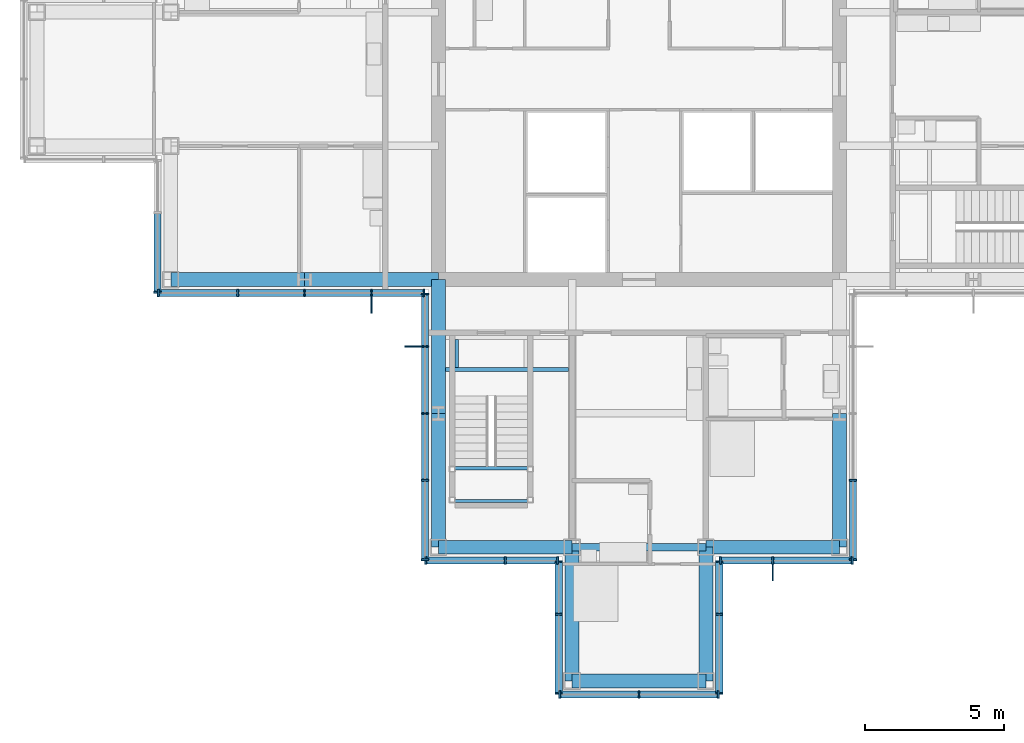
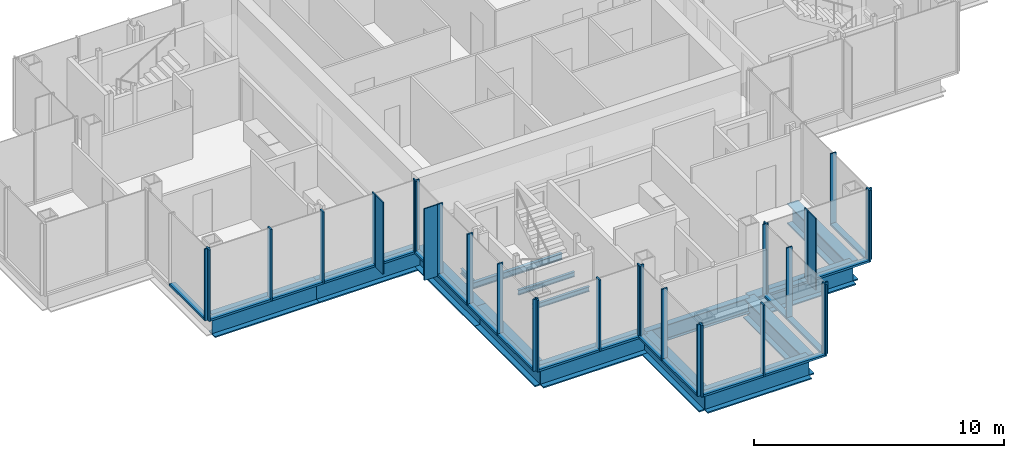
# One storey, part 5 of 15: 51 members, 15 beams, 9 elements without a shape of their own.
"""IFC4 building model written with IfcOpenShell, lengths in metres."""

from ifc_helpers import new_model, si_unit, direction, frame, origin, origin_2d, place, context, subcontext, project, spatial, rectangle, i_section, extrude, material, material_profile, profile_set, type_object, element, aggregate, save


model = new_model("IFC4")

# Units and contexts
model_context = context("Model", 3, precision=1e-05, world=origin(), true_north=direction((0.0, 1.0)))
body_context = subcontext(model_context, "Body", "Model", "MODEL_VIEW")
ifc_project = project(units=[si_unit("LENGTHUNIT", "METRE"), si_unit("AREAUNIT", "SQUARE_METRE"), si_unit("VOLUMEUNIT", "CUBIC_METRE"), si_unit("PLANEANGLEUNIT", "RADIAN"), si_unit("MASSUNIT", "GRAM", prefix="KILO")], contexts=[model_context])

# Site, building, storey
site_placement = place(None, origin())
site = spatial("IfcSite", under=ifc_project, at=site_placement, CompositionType="ELEMENT")
building_placement = place(site_placement, origin())
building = spatial("IfcBuilding", under=site, at=building_placement, Name="Kvirike Care Tower", CompositionType="ELEMENT")
storey_placement = place(building_placement, frame((0.0, 0.0, 222.5)))
storey = spatial("IfcBuildingStorey", under=building, at=storey_placement, Name="L61", CompositionType="ELEMENT", Elevation=222.5)

# Curtain wall, member
ifc_material_1 = material(Name="Anodised aluminium stick system", Category="aluminium")
curtain_wall_type = type_object("IfcCurtainWallType", Name="CW-D STICK CURTAIN WALL", PredefinedType="NOTDEFINED", material=ifc_material_1)
curtain_wall_1_placement = place(storey_placement, origin())
curtain_wall_1 = element("IfcCurtainWall", 1, at=curtain_wall_1_placement, inside=storey, type_object=curtain_wall_type, Name="Curtain wall L61 face 13", PredefinedType="NOTDEFINED")
ifc_material_2 = material(Name="Bronze anodised aluminium fin", Category="aluminium")
ifc_material_profile_1 = material_profile(ifc_material_2, rectangle(XDim=0.050048828125, YDim=0.60009765625, at=origin_2d()), Name="BRONZE FIN 600")
ifc_profile_set_1 = profile_set([ifc_material_profile_1], Name="Bronze anodised aluminium fin")
member_type_1 = type_object("IfcMemberType", Name="BRONZE FIN 600", PredefinedType="USERDEFINED", material=ifc_profile_set_1)
member_1_placement = place(storey_placement, frame((12.0, 27.889892578125, 0.0), z_axis=(0.0, 0.0, 1.0), x_axis=(1.0, 0.0, 0.0)))
member_1 = element("IfcMember", 2, at=member_1_placement, type_object=member_type_1, Name="Bronze fin L61 face 13.4", ObjectType="FIN", PredefinedType="USERDEFINED", context=body_context, shape_type="SweptSolid", body=[
    extrude(rectangle(XDim=0.050048828125, YDim=0.60009765625, at=origin_2d()), origin(), (0.0, 0.0, 1.0), 3.5),
])

curtain_wall_2_placement = place(storey_placement, origin())
curtain_wall_2 = element("IfcCurtainWall", 3, at=curtain_wall_2_placement, inside=storey, type_object=curtain_wall_type, Name="Curtain wall L61 face 14", PredefinedType="NOTDEFINED")
member_2_placement = place(storey_placement, frame((13.489990234375, 26.39990234375, 0.0), z_axis=(0.0, 0.0, 1.0), x_axis=(0.0, -1.0, 0.0)))
member_2 = element("IfcMember", 4, at=member_2_placement, type_object=member_type_1, Name="Bronze fin L61 face 14.2", ObjectType="FIN", PredefinedType="USERDEFINED", context=body_context, shape_type="SweptSolid", body=[
    extrude(rectangle(XDim=0.050048828125, YDim=0.60009765625, at=origin_2d()), origin(), (0.0, 0.0, 1.0), 3.5),
])

curtain_wall_3_placement = place(storey_placement, origin())
curtain_wall_3 = element("IfcCurtainWall", 5, at=curtain_wall_3_placement, inside=storey, type_object=curtain_wall_type, Name="Curtain wall L61 face 19", PredefinedType="NOTDEFINED")
member_3_placement = place(storey_placement, frame((26.39990234375, 18.2900390625, 0.0), z_axis=(0.0, 0.0, 1.0), x_axis=(1.0, 0.0, 0.0)))
member_3 = element("IfcMember", 6, at=member_3_placement, type_object=member_type_1, Name="Bronze fin L61 face 19.2", ObjectType="FIN", PredefinedType="USERDEFINED", context=body_context, shape_type="SweptSolid", body=[
    extrude(rectangle(XDim=0.050048828125, YDim=0.60009765625, at=origin_2d()), origin(), (0.0, 0.0, 1.0), 3.5),
])

curtain_wall_4_placement = place(storey_placement, origin())
curtain_wall_4 = element("IfcCurtainWall", 7, at=curtain_wall_4_placement, inside=storey, type_object=curtain_wall_type, Name="Curtain wall L61 face 12", PredefinedType="NOTDEFINED")
ifc_material_3 = material(Name="Bronze anodised aluminium mullion", Category="aluminium")
ifc_material_profile_2 = material_profile(ifc_material_3, rectangle(XDim=0.06494140625, YDim=0.260009765625, at=origin_2d()), Name="CW-D MULLION 65x260")
ifc_profile_set_2 = profile_set([ifc_material_profile_2], Name="Bronze anodised aluminium mullion")
member_type_2 = type_object("IfcMemberType", Name="CW-D MULLION 65x260", PredefinedType="MULLION", material=ifc_profile_set_2)
member_4_placement = place(storey_placement, frame((4.320068359375, 28.3525390625, 0.0), z_axis=(0.0, 0.0, 1.0), x_axis=(0.0, -1.0, 0.0)))
member_4 = element("IfcMember", 8, at=member_4_placement, type_object=member_type_2, Name="CW-D mullion L61 face 12.3", PredefinedType="MULLION", context=body_context, shape_type="SweptSolid", body=[
    extrude(rectangle(XDim=0.06494140625, YDim=0.260009765625, at=origin_2d()), origin(), (0.0, 0.0, 1.0), 3.5),
])

# Member
member_5_placement = place(storey_placement, frame((4.3525390625, 28.320068359375, 0.0), z_axis=(0.0, 0.0, 1.0), x_axis=(1.0, 0.0, 0.0)))
member_5 = element("IfcMember", 9, at=member_5_placement, type_object=member_type_2, Name="CW-D mullion L61 face 13.1", PredefinedType="MULLION", context=body_context, shape_type="SweptSolid", body=[
    extrude(rectangle(XDim=0.06494140625, YDim=0.260009765625, at=origin_2d()), origin(), (0.0, 0.0, 1.0), 3.5),
])

member_6_placement = place(storey_placement, frame((7.199951171875, 28.320068359375, 0.0), z_axis=(0.0, 0.0, 1.0), x_axis=(1.0, 0.0, 0.0)))
member_6 = element("IfcMember", 10, at=member_6_placement, type_object=member_type_2, Name="CW-D mullion L61 face 13.2", PredefinedType="MULLION", context=body_context, shape_type="SweptSolid", body=[
    extrude(rectangle(XDim=0.06494140625, YDim=0.260009765625, at=origin_2d()), origin(), (0.0, 0.0, 1.0), 3.5),
])

member_7_placement = place(storey_placement, frame((9.60009765625, 28.320068359375, 0.0), z_axis=(0.0, 0.0, 1.0), x_axis=(1.0, 0.0, 0.0)))
member_7 = element("IfcMember", 11, at=member_7_placement, type_object=member_type_2, Name="CW-D mullion L61 face 13.3", PredefinedType="MULLION", context=body_context, shape_type="SweptSolid", body=[
    extrude(rectangle(XDim=0.06494140625, YDim=0.260009765625, at=origin_2d()), origin(), (0.0, 0.0, 1.0), 3.5),
])

member_8_placement = place(storey_placement, frame((12.0, 28.320068359375, 0.0), z_axis=(0.0, 0.0, 1.0), x_axis=(1.0, 0.0, 0.0)))
member_8 = element("IfcMember", 12, at=member_8_placement, type_object=member_type_2, Name="CW-D mullion L61 face 13.4", PredefinedType="MULLION", context=body_context, shape_type="SweptSolid", body=[
    extrude(rectangle(XDim=0.06494140625, YDim=0.260009765625, at=origin_2d()), origin(), (0.0, 0.0, 1.0), 3.5),
])

member_9_placement = place(storey_placement, frame((13.887451171875, 28.320068359375, 0.0), z_axis=(0.0, 0.0, 1.0), x_axis=(1.0, 0.0, 0.0)))
member_9 = element("IfcMember", 13, at=member_9_placement, type_object=member_type_2, Name="CW-D mullion L61 face 13.5", PredefinedType="MULLION", context=body_context, shape_type="SweptSolid", body=[
    extrude(rectangle(XDim=0.06494140625, YDim=0.260009765625, at=origin_2d()), origin(), (0.0, 0.0, 1.0), 3.5),
])

member_10_placement = place(storey_placement, frame((13.919921875, 28.28759765625, 0.0), z_axis=(0.0, 0.0, 1.0), x_axis=(0.0, -1.0, 0.0)))
member_10 = element("IfcMember", 14, at=member_10_placement, type_object=member_type_2, Name="CW-D mullion L61 face 14.1", PredefinedType="MULLION", context=body_context, shape_type="SweptSolid", body=[
    extrude(rectangle(XDim=0.06494140625, YDim=0.260009765625, at=origin_2d()), origin(), (0.0, 0.0, 1.0), 3.5),
])

member_11_placement = place(storey_placement, frame((13.919921875, 26.39990234375, 0.0), z_axis=(0.0, 0.0, 1.0), x_axis=(0.0, -1.0, 0.0)))
member_11 = element("IfcMember", 15, at=member_11_placement, type_object=member_type_2, Name="CW-D mullion L61 face 14.2", PredefinedType="MULLION", context=body_context, shape_type="SweptSolid", body=[
    extrude(rectangle(XDim=0.06494140625, YDim=0.260009765625, at=origin_2d()), origin(), (0.0, 0.0, 1.0), 3.5),
])

member_12_placement = place(storey_placement, frame((13.919921875, 24.0, 0.0), z_axis=(0.0, 0.0, 1.0), x_axis=(0.0, -1.0, 0.0)))
member_12 = element("IfcMember", 16, at=member_12_placement, type_object=member_type_2, Name="CW-D mullion L61 face 14.3", PredefinedType="MULLION", context=body_context, shape_type="SweptSolid", body=[
    extrude(rectangle(XDim=0.06494140625, YDim=0.260009765625, at=origin_2d()), origin(), (0.0, 0.0, 1.0), 3.5),
])

member_13_placement = place(storey_placement, frame((13.919921875, 21.60009765625, 0.0), z_axis=(0.0, 0.0, 1.0), x_axis=(0.0, -1.0, 0.0)))
member_13 = element("IfcMember", 17, at=member_13_placement, type_object=member_type_2, Name="CW-D mullion L61 face 14.4", PredefinedType="MULLION", context=body_context, shape_type="SweptSolid", body=[
    extrude(rectangle(XDim=0.06494140625, YDim=0.260009765625, at=origin_2d()), origin(), (0.0, 0.0, 1.0), 3.5),
])

member_14_placement = place(storey_placement, frame((13.919921875, 18.75244140625, 0.0), z_axis=(0.0, 0.0, 1.0), x_axis=(0.0, -1.0, 0.0)))
member_14 = element("IfcMember", 18, at=member_14_placement, type_object=member_type_2, Name="CW-D mullion L61 face 14.5", PredefinedType="MULLION", context=body_context, shape_type="SweptSolid", body=[
    extrude(rectangle(XDim=0.06494140625, YDim=0.260009765625, at=origin_2d()), origin(), (0.0, 0.0, 1.0), 3.5),
])

# Curtain wall, members
curtain_wall_5_placement = place(storey_placement, origin())
curtain_wall_5 = element("IfcCurtainWall", 19, at=curtain_wall_5_placement, inside=storey, type_object=curtain_wall_type, Name="Curtain wall L61 face 15", PredefinedType="NOTDEFINED")
member_15_placement = place(storey_placement, frame((13.952392578125, 18.719970703125, 0.0), z_axis=(0.0, 0.0, 1.0), x_axis=(1.0, 0.0, 0.0)))
member_15 = element("IfcMember", 20, at=member_15_placement, type_object=member_type_2, Name="CW-D mullion L61 face 15.1", PredefinedType="MULLION", context=body_context, shape_type="SweptSolid", body=[
    extrude(rectangle(XDim=0.06494140625, YDim=0.260009765625, at=origin_2d()), origin(), (0.0, 0.0, 1.0), 3.5),
])
member_16_placement = place(storey_placement, frame((16.800048828125, 18.719970703125, 0.0), z_axis=(0.0, 0.0, 1.0), x_axis=(1.0, 0.0, 0.0)))
member_16 = element("IfcMember", 21, at=member_16_placement, type_object=member_type_2, Name="CW-D mullion L61 face 15.2", PredefinedType="MULLION", context=body_context, shape_type="SweptSolid", body=[
    extrude(rectangle(XDim=0.06494140625, YDim=0.260009765625, at=origin_2d()), origin(), (0.0, 0.0, 1.0), 3.5),
])
member_17_placement = place(storey_placement, frame((18.6875, 18.719970703125, 0.0), z_axis=(0.0, 0.0, 1.0), x_axis=(1.0, 0.0, 0.0)))
member_17 = element("IfcMember", 22, at=member_17_placement, type_object=member_type_2, Name="CW-D mullion L61 face 15.3", PredefinedType="MULLION", context=body_context, shape_type="SweptSolid", body=[
    extrude(rectangle(XDim=0.06494140625, YDim=0.260009765625, at=origin_2d()), origin(), (0.0, 0.0, 1.0), 3.5),
])

curtain_wall_6_placement = place(storey_placement, origin())
curtain_wall_6 = element("IfcCurtainWall", 23, at=curtain_wall_6_placement, inside=storey, type_object=curtain_wall_type, Name="Curtain wall L61 face 16", PredefinedType="NOTDEFINED")
member_18_placement = place(storey_placement, frame((18.719970703125, 18.6875, 0.0), z_axis=(0.0, 0.0, 1.0), x_axis=(0.0, -1.0, 0.0)))
member_18 = element("IfcMember", 24, at=member_18_placement, type_object=member_type_2, Name="CW-D mullion L61 face 16.1", PredefinedType="MULLION", context=body_context, shape_type="SweptSolid", body=[
    extrude(rectangle(XDim=0.06494140625, YDim=0.260009765625, at=origin_2d()), origin(), (0.0, 0.0, 1.0), 3.5),
])
member_19_placement = place(storey_placement, frame((18.719970703125, 16.800048828125, 0.0), z_axis=(0.0, 0.0, 1.0), x_axis=(0.0, -1.0, 0.0)))
member_19 = element("IfcMember", 25, at=member_19_placement, type_object=member_type_2, Name="CW-D mullion L61 face 16.2", PredefinedType="MULLION", context=body_context, shape_type="SweptSolid", body=[
    extrude(rectangle(XDim=0.06494140625, YDim=0.260009765625, at=origin_2d()), origin(), (0.0, 0.0, 1.0), 3.5),
])
member_20_placement = place(storey_placement, frame((18.719970703125, 13.952392578125, 0.0), z_axis=(0.0, 0.0, 1.0), x_axis=(0.0, -1.0, 0.0)))
member_20 = element("IfcMember", 26, at=member_20_placement, type_object=member_type_2, Name="CW-D mullion L61 face 16.3", PredefinedType="MULLION", context=body_context, shape_type="SweptSolid", body=[
    extrude(rectangle(XDim=0.06494140625, YDim=0.260009765625, at=origin_2d()), origin(), (0.0, 0.0, 1.0), 3.5),
])

curtain_wall_7_placement = place(storey_placement, origin())
curtain_wall_7 = element("IfcCurtainWall", 27, at=curtain_wall_7_placement, inside=storey, type_object=curtain_wall_type, Name="Curtain wall L61 face 17", PredefinedType="NOTDEFINED")
member_21_placement = place(storey_placement, frame((18.75244140625, 13.919921875, 0.0), z_axis=(0.0, 0.0, 1.0), x_axis=(1.0, 0.0, 0.0)))
member_21 = element("IfcMember", 28, at=member_21_placement, type_object=member_type_2, Name="CW-D mullion L61 face 17.1", PredefinedType="MULLION", context=body_context, shape_type="SweptSolid", body=[
    extrude(rectangle(XDim=0.06494140625, YDim=0.260009765625, at=origin_2d()), origin(), (0.0, 0.0, 1.0), 3.5),
])
member_22_placement = place(storey_placement, frame((21.60009765625, 13.919921875, 0.0), z_axis=(0.0, 0.0, 1.0), x_axis=(1.0, 0.0, 0.0)))
member_22 = element("IfcMember", 29, at=member_22_placement, type_object=member_type_2, Name="CW-D mullion L61 face 17.2", PredefinedType="MULLION", context=body_context, shape_type="SweptSolid", body=[
    extrude(rectangle(XDim=0.06494140625, YDim=0.260009765625, at=origin_2d()), origin(), (0.0, 0.0, 1.0), 3.5),
])
member_23_placement = place(storey_placement, frame((24.447509765625, 13.919921875, 0.0), z_axis=(0.0, 0.0, 1.0), x_axis=(1.0, 0.0, 0.0)))
member_23 = element("IfcMember", 30, at=member_23_placement, type_object=member_type_2, Name="CW-D mullion L61 face 17.3", PredefinedType="MULLION", context=body_context, shape_type="SweptSolid", body=[
    extrude(rectangle(XDim=0.06494140625, YDim=0.260009765625, at=origin_2d()), origin(), (0.0, 0.0, 1.0), 3.5),
])

curtain_wall_8_placement = place(storey_placement, origin())
curtain_wall_8 = element("IfcCurtainWall", 31, at=curtain_wall_8_placement, inside=storey, type_object=curtain_wall_type, Name="Curtain wall L61 face 18", PredefinedType="NOTDEFINED")
member_24_placement = place(storey_placement, frame((24.47998046875, 13.952392578125, 0.0), z_axis=(0.0, 0.0, 1.0), x_axis=(0.0, 1.0, 0.0)))
member_24 = element("IfcMember", 32, at=member_24_placement, type_object=member_type_2, Name="CW-D mullion L61 face 18.1", PredefinedType="MULLION", context=body_context, shape_type="SweptSolid", body=[
    extrude(rectangle(XDim=0.06494140625, YDim=0.260009765625, at=origin_2d()), origin(), (0.0, 0.0, 1.0), 3.5),
])
member_25_placement = place(storey_placement, frame((24.47998046875, 16.800048828125, 0.0), z_axis=(0.0, 0.0, 1.0), x_axis=(0.0, 1.0, 0.0)))
member_25 = element("IfcMember", 33, at=member_25_placement, type_object=member_type_2, Name="CW-D mullion L61 face 18.2", PredefinedType="MULLION", context=body_context, shape_type="SweptSolid", body=[
    extrude(rectangle(XDim=0.06494140625, YDim=0.260009765625, at=origin_2d()), origin(), (0.0, 0.0, 1.0), 3.5),
])
member_26_placement = place(storey_placement, frame((24.47998046875, 18.6875, 0.0), z_axis=(0.0, 0.0, 1.0), x_axis=(0.0, 1.0, 0.0)))
member_26 = element("IfcMember", 34, at=member_26_placement, type_object=member_type_2, Name="CW-D mullion L61 face 18.3", PredefinedType="MULLION", context=body_context, shape_type="SweptSolid", body=[
    extrude(rectangle(XDim=0.06494140625, YDim=0.260009765625, at=origin_2d()), origin(), (0.0, 0.0, 1.0), 3.5),
])

# Member
member_27_placement = place(storey_placement, frame((24.512451171875, 18.719970703125, 0.0), z_axis=(0.0, 0.0, 1.0), x_axis=(1.0, 0.0, 0.0)))
member_27 = element("IfcMember", 35, at=member_27_placement, type_object=member_type_2, Name="CW-D mullion L61 face 19.1", PredefinedType="MULLION", context=body_context, shape_type="SweptSolid", body=[
    extrude(rectangle(XDim=0.06494140625, YDim=0.260009765625, at=origin_2d()), origin(), (0.0, 0.0, 1.0), 3.5),
])

member_28_placement = place(storey_placement, frame((26.39990234375, 18.719970703125, 0.0), z_axis=(0.0, 0.0, 1.0), x_axis=(1.0, 0.0, 0.0)))
member_28 = element("IfcMember", 36, at=member_28_placement, type_object=member_type_2, Name="CW-D mullion L61 face 19.2", PredefinedType="MULLION", context=body_context, shape_type="SweptSolid", body=[
    extrude(rectangle(XDim=0.06494140625, YDim=0.260009765625, at=origin_2d()), origin(), (0.0, 0.0, 1.0), 3.5),
])

member_29_placement = place(storey_placement, frame((29.24755859375, 18.719970703125, 0.0), z_axis=(0.0, 0.0, 1.0), x_axis=(1.0, 0.0, 0.0)))
member_29 = element("IfcMember", 37, at=member_29_placement, type_object=member_type_2, Name="CW-D mullion L61 face 19.3", PredefinedType="MULLION", context=body_context, shape_type="SweptSolid", body=[
    extrude(rectangle(XDim=0.06494140625, YDim=0.260009765625, at=origin_2d()), origin(), (0.0, 0.0, 1.0), 3.5),
])

# Curtain wall, members
curtain_wall_9_placement = place(storey_placement, origin())
curtain_wall_9 = element("IfcCurtainWall", 38, at=curtain_wall_9_placement, inside=storey, type_object=curtain_wall_type, Name="Curtain wall L61 face 20", PredefinedType="NOTDEFINED")
member_30_placement = place(storey_placement, frame((29.280029296875, 18.75244140625, 0.0), z_axis=(0.0, 0.0, 1.0), x_axis=(0.0, 1.0, 0.0)))
member_30 = element("IfcMember", 39, at=member_30_placement, type_object=member_type_2, Name="CW-D mullion L61 face 20.1", PredefinedType="MULLION", context=body_context, shape_type="SweptSolid", body=[
    extrude(rectangle(XDim=0.06494140625, YDim=0.260009765625, at=origin_2d()), origin(), (0.0, 0.0, 1.0), 3.5),
])
member_31_placement = place(storey_placement, frame((29.280029296875, 21.60009765625, 0.0), z_axis=(0.0, 0.0, 1.0), x_axis=(0.0, 1.0, 0.0)))
member_31 = element("IfcMember", 40, at=member_31_placement, type_object=member_type_2, Name="CW-D mullion L61 face 20.2", PredefinedType="MULLION", context=body_context, shape_type="SweptSolid", body=[
    extrude(rectangle(XDim=0.06494140625, YDim=0.260009765625, at=origin_2d()), origin(), (0.0, 0.0, 1.0), 3.5),
])

# Member
ifc_material_4 = material(Name="Bronze anodised aluminium transom", Category="aluminium")
ifc_material_profile_3 = material_profile(ifc_material_4, rectangle(XDim=0.260009765625, YDim=0.10009765625, at=origin_2d()), Name="CW-D TRANSOM 260x100")
ifc_profile_set_3 = profile_set([ifc_material_profile_3], Name="Bronze anodised aluminium transom")
member_type_3 = type_object("IfcMemberType", Name="CW-D TRANSOM 260x100", PredefinedType="USERDEFINED", material=ifc_profile_set_3)
member_32_placement = place(storey_placement, frame((4.320068359375, 31.16748046875, 0.050048828125), z_axis=(0.0, -1.0, 0.0), x_axis=(1.0, 0.0, 0.0)))
member_32 = element("IfcMember", 41, at=member_32_placement, type_object=member_type_3, Name="CW-D sill transom L61 face 12.2", ObjectType="TRANSOM", PredefinedType="USERDEFINED", context=body_context, shape_type="SweptSolid", body=[
    extrude(rectangle(XDim=0.260009765625, YDim=0.10009765625, at=origin_2d()), origin(), (0.0, 0.0, 1.0), 2.782470703125),
])

aggregate(curtain_wall_4, [member_4, member_32])

member_33_placement = place(storey_placement, frame((4.385009765625, 28.320068359375, 0.050048828125), z_axis=(1.0, 0.0, 0.0), x_axis=(0.0, 1.0, 0.0)))
member_33 = element("IfcMember", 42, at=member_33_placement, type_object=member_type_3, Name="CW-D sill transom L61 face 13.1", ObjectType="TRANSOM", PredefinedType="USERDEFINED", context=body_context, shape_type="SweptSolid", body=[
    extrude(rectangle(XDim=0.260009765625, YDim=0.10009765625, at=origin_2d()), origin(), (0.0, 0.0, 1.0), 2.782470703125),
])

member_34_placement = place(storey_placement, frame((7.232421875, 28.320068359375, 0.050048828125), z_axis=(1.0, 0.0, 0.0), x_axis=(0.0, 1.0, 0.0)))
member_34 = element("IfcMember", 43, at=member_34_placement, type_object=member_type_3, Name="CW-D sill transom L61 face 13.2", ObjectType="TRANSOM", PredefinedType="USERDEFINED", context=body_context, shape_type="SweptSolid", body=[
    extrude(rectangle(XDim=0.260009765625, YDim=0.10009765625, at=origin_2d()), origin(), (0.0, 0.0, 1.0), 2.3349609375),
])

member_35_placement = place(storey_placement, frame((9.632568359375, 28.320068359375, 0.050048828125), z_axis=(1.0, 0.0, 0.0), x_axis=(0.0, 1.0, 0.0)))
member_35 = element("IfcMember", 44, at=member_35_placement, type_object=member_type_3, Name="CW-D sill transom L61 face 13.3", ObjectType="TRANSOM", PredefinedType="USERDEFINED", context=body_context, shape_type="SweptSolid", body=[
    extrude(rectangle(XDim=0.260009765625, YDim=0.10009765625, at=origin_2d()), origin(), (0.0, 0.0, 1.0), 2.3349609375),
])

member_36_placement = place(storey_placement, frame((12.032470703125, 28.320068359375, 0.050048828125), z_axis=(1.0, 0.0, 0.0), x_axis=(0.0, 1.0, 0.0)))
member_36 = element("IfcMember", 45, at=member_36_placement, type_object=member_type_3, Name="CW-D sill transom L61 face 13.4", ObjectType="TRANSOM", PredefinedType="USERDEFINED", context=body_context, shape_type="SweptSolid", body=[
    extrude(rectangle(XDim=0.260009765625, YDim=0.10009765625, at=origin_2d()), origin(), (0.0, 0.0, 1.0), 1.822509765625),
])

aggregate(curtain_wall_1, [member_5, member_6, member_7, member_8, member_1, member_9, member_33, member_34, member_35, member_36])

member_37_placement = place(storey_placement, frame((13.919921875, 28.2548828125, 0.050048828125), z_axis=(0.0, -1.0, 0.0), x_axis=(1.0, 0.0, 0.0)))
member_37 = element("IfcMember", 46, at=member_37_placement, type_object=member_type_3, Name="CW-D sill transom L61 face 14.1", ObjectType="TRANSOM", PredefinedType="USERDEFINED", context=body_context, shape_type="SweptSolid", body=[
    extrude(rectangle(XDim=0.260009765625, YDim=0.10009765625, at=origin_2d()), origin(), (0.0, 0.0, 1.0), 1.822265625),
])

member_38_placement = place(storey_placement, frame((13.919921875, 26.367431640625, 0.050048828125), z_axis=(0.0, -1.0, 0.0), x_axis=(1.0, 0.0, 0.0)))
member_38 = element("IfcMember", 47, at=member_38_placement, type_object=member_type_3, Name="CW-D sill transom L61 face 14.2", ObjectType="TRANSOM", PredefinedType="USERDEFINED", context=body_context, shape_type="SweptSolid", body=[
    extrude(rectangle(XDim=0.260009765625, YDim=0.10009765625, at=origin_2d()), origin(), (0.0, 0.0, 1.0), 2.3349609375),
])

member_39_placement = place(storey_placement, frame((13.919921875, 23.967529296875, 0.050048828125), z_axis=(0.0, -1.0, 0.0), x_axis=(1.0, 0.0, 0.0)))
member_39 = element("IfcMember", 48, at=member_39_placement, type_object=member_type_3, Name="CW-D sill transom L61 face 14.3", ObjectType="TRANSOM", PredefinedType="USERDEFINED", context=body_context, shape_type="SweptSolid", body=[
    extrude(rectangle(XDim=0.260009765625, YDim=0.10009765625, at=origin_2d()), origin(), (0.0, 0.0, 1.0), 2.3349609375),
])

member_40_placement = place(storey_placement, frame((13.919921875, 21.5673828125, 0.050048828125), z_axis=(0.0, -1.0, 0.0), x_axis=(1.0, 0.0, 0.0)))
member_40 = element("IfcMember", 49, at=member_40_placement, type_object=member_type_3, Name="CW-D sill transom L61 face 14.4", ObjectType="TRANSOM", PredefinedType="USERDEFINED", context=body_context, shape_type="SweptSolid", body=[
    extrude(rectangle(XDim=0.260009765625, YDim=0.10009765625, at=origin_2d()), origin(), (0.0, 0.0, 1.0), 2.782470703125),
])

aggregate(curtain_wall_2, [member_10, member_11, member_2, member_12, member_13, member_14, member_37, member_38, member_39, member_40])

member_41_placement = place(storey_placement, frame((13.985107421875, 18.719970703125, 0.050048828125), z_axis=(1.0, 0.0, 0.0), x_axis=(0.0, 1.0, 0.0)))
member_41 = element("IfcMember", 50, at=member_41_placement, type_object=member_type_3, Name="CW-D sill transom L61 face 15.1", ObjectType="TRANSOM", PredefinedType="USERDEFINED", context=body_context, shape_type="SweptSolid", body=[
    extrude(rectangle(XDim=0.260009765625, YDim=0.10009765625, at=origin_2d()), origin(), (0.0, 0.0, 1.0), 2.782470703125),
])

member_42_placement = place(storey_placement, frame((16.83251953125, 18.719970703125, 0.050048828125), z_axis=(1.0, 0.0, 0.0), x_axis=(0.0, 1.0, 0.0)))
member_42 = element("IfcMember", 51, at=member_42_placement, type_object=member_type_3, Name="CW-D sill transom L61 face 15.2", ObjectType="TRANSOM", PredefinedType="USERDEFINED", context=body_context, shape_type="SweptSolid", body=[
    extrude(rectangle(XDim=0.260009765625, YDim=0.10009765625, at=origin_2d()), origin(), (0.0, 0.0, 1.0), 1.822509765625),
])

aggregate(curtain_wall_5, [member_15, member_16, member_17, member_41, member_42])

member_43_placement = place(storey_placement, frame((18.719970703125, 18.655029296875, 0.050048828125), z_axis=(0.0, -1.0, 0.0), x_axis=(1.0, 0.0, 0.0)))
member_43 = element("IfcMember", 52, at=member_43_placement, type_object=member_type_3, Name="CW-D sill transom L61 face 16.1", ObjectType="TRANSOM", PredefinedType="USERDEFINED", context=body_context, shape_type="SweptSolid", body=[
    extrude(rectangle(XDim=0.260009765625, YDim=0.10009765625, at=origin_2d()), origin(), (0.0, 0.0, 1.0), 1.822509765625),
])

member_44_placement = place(storey_placement, frame((18.719970703125, 16.767578125, 0.050048828125), z_axis=(0.0, -1.0, 0.0), x_axis=(1.0, 0.0, 0.0)))
member_44 = element("IfcMember", 53, at=member_44_placement, type_object=member_type_3, Name="CW-D sill transom L61 face 16.2", ObjectType="TRANSOM", PredefinedType="USERDEFINED", context=body_context, shape_type="SweptSolid", body=[
    extrude(rectangle(XDim=0.260009765625, YDim=0.10009765625, at=origin_2d()), origin(), (0.0, 0.0, 1.0), 2.782470703125),
])

aggregate(curtain_wall_6, [member_18, member_19, member_20, member_43, member_44])

member_45_placement = place(storey_placement, frame((18.784912109375, 13.919921875, 0.050048828125), z_axis=(1.0, 0.0, 0.0), x_axis=(0.0, 1.0, 0.0)))
member_45 = element("IfcMember", 54, at=member_45_placement, type_object=member_type_3, Name="CW-D sill transom L61 face 17.1", ObjectType="TRANSOM", PredefinedType="USERDEFINED", context=body_context, shape_type="SweptSolid", body=[
    extrude(rectangle(XDim=0.260009765625, YDim=0.10009765625, at=origin_2d()), origin(), (0.0, 0.0, 1.0), 2.782470703125),
])

member_46_placement = place(storey_placement, frame((21.632568359375, 13.919921875, 0.050048828125), z_axis=(1.0, 0.0, 0.0), x_axis=(0.0, 1.0, 0.0)))
member_46 = element("IfcMember", 55, at=member_46_placement, type_object=member_type_3, Name="CW-D sill transom L61 face 17.2", ObjectType="TRANSOM", PredefinedType="USERDEFINED", context=body_context, shape_type="SweptSolid", body=[
    extrude(rectangle(XDim=0.260009765625, YDim=0.10009765625, at=origin_2d()), origin(), (0.0, 0.0, 1.0), 2.782470703125),
])

aggregate(curtain_wall_7, [member_21, member_22, member_23, member_45, member_46])

member_47_placement = place(storey_placement, frame((24.47998046875, 13.985107421875, 0.050048828125), z_axis=(0.0, 1.0, 0.0), x_axis=(-1.0, 0.0, 0.0)))
member_47 = element("IfcMember", 56, at=member_47_placement, type_object=member_type_3, Name="CW-D sill transom L61 face 18.1", ObjectType="TRANSOM", PredefinedType="USERDEFINED", context=body_context, shape_type="SweptSolid", body=[
    extrude(rectangle(XDim=0.260009765625, YDim=0.10009765625, at=origin_2d()), origin(), (0.0, 0.0, 1.0), 2.782470703125),
])

member_48_placement = place(storey_placement, frame((24.47998046875, 16.83251953125, 0.050048828125), z_axis=(0.0, 1.0, 0.0), x_axis=(-1.0, 0.0, 0.0)))
member_48 = element("IfcMember", 57, at=member_48_placement, type_object=member_type_3, Name="CW-D sill transom L61 face 18.2", ObjectType="TRANSOM", PredefinedType="USERDEFINED", context=body_context, shape_type="SweptSolid", body=[
    extrude(rectangle(XDim=0.260009765625, YDim=0.10009765625, at=origin_2d()), origin(), (0.0, 0.0, 1.0), 1.822509765625),
])

aggregate(curtain_wall_8, [member_24, member_25, member_26, member_47, member_48])

member_49_placement = place(storey_placement, frame((24.544921875, 18.719970703125, 0.050048828125), z_axis=(1.0, 0.0, 0.0), x_axis=(0.0, 1.0, 0.0)))
member_49 = element("IfcMember", 58, at=member_49_placement, type_object=member_type_3, Name="CW-D sill transom L61 face 19.1", ObjectType="TRANSOM", PredefinedType="USERDEFINED", context=body_context, shape_type="SweptSolid", body=[
    extrude(rectangle(XDim=0.260009765625, YDim=0.10009765625, at=origin_2d()), origin(), (0.0, 0.0, 1.0), 1.822509765625),
])

member_50_placement = place(storey_placement, frame((26.4326171875, 18.719970703125, 0.050048828125), z_axis=(1.0, 0.0, 0.0), x_axis=(0.0, 1.0, 0.0)))
member_50 = element("IfcMember", 59, at=member_50_placement, type_object=member_type_3, Name="CW-D sill transom L61 face 19.2", ObjectType="TRANSOM", PredefinedType="USERDEFINED", context=body_context, shape_type="SweptSolid", body=[
    extrude(rectangle(XDim=0.260009765625, YDim=0.10009765625, at=origin_2d()), origin(), (0.0, 0.0, 1.0), 2.782470703125),
])

aggregate(curtain_wall_3, [member_27, member_28, member_3, member_29, member_49, member_50])

member_51_placement = place(storey_placement, frame((29.280029296875, 18.784912109375, 0.050048828125), z_axis=(0.0, 1.0, 0.0), x_axis=(-1.0, 0.0, 0.0)))
member_51 = element("IfcMember", 60, at=member_51_placement, type_object=member_type_3, Name="CW-D sill transom L61 face 20.1", ObjectType="TRANSOM", PredefinedType="USERDEFINED", context=body_context, shape_type="SweptSolid", body=[
    extrude(rectangle(XDim=0.260009765625, YDim=0.10009765625, at=origin_2d()), origin(), (0.0, 0.0, 1.0), 2.782470703125),
])

aggregate(curtain_wall_9, [member_30, member_31, member_51])

# Beams
ifc_material_5 = material(Name="Steel S355", Category="steel")
ifc_material_profile_4 = material_profile(ifc_material_5, i_section(OverallWidth=0.26806640625, OverallDepth=0.77001953125, WebThickness=0.015625, FlangeThickness=0.025390625, FilletRadius=0.01708984375, at=origin_2d()), Name="IPE 750x196")
ifc_profile_set_4 = profile_set([ifc_material_profile_4], Name="Steel S355")
beam_type_1 = type_object("IfcBeamType", Name="FLOOR BEAM IPE 750x196", PredefinedType="BEAM", material=ifc_profile_set_4)
beam_1_placement = place(storey_placement, frame((19.199951171875, 19.199951171875, -0.554931640625), z_axis=(1.0, 0.0, 0.0), x_axis=(0.0, 1.0, 0.0)))
element("IfcBeam", 61, at=beam_1_placement, inside=storey, type_object=beam_type_1, Name="Floor Beam E7-E8 L61", PredefinedType="BEAM", context=body_context, shape_type="SweptSolid", body=[
    extrude(i_section(OverallWidth=0.26806640625, OverallDepth=0.77001953125, WebThickness=0.015625, FlangeThickness=0.025390625, FilletRadius=0.01708984375, at=origin_2d()), origin(), (0.0, 0.0, 1.0), 4.800048828125),
])
ifc_material_6 = material(Name="Steel S355", Category="steel")
ifc_material_profile_5 = material_profile(ifc_material_6, i_section(OverallWidth=0.5, OverallDepth=1.0, WebThickness=0.030029296875, FlangeThickness=0.06005859375, at=origin_2d()), Name="PG 1000x500x30x60")
ifc_profile_set_5 = profile_set([ifc_material_profile_5], Name="Steel S355")
beam_type_2 = type_object("IfcBeamType", Name="SPANDREL PG 1000x500x30x60", PredefinedType="SPANDREL", material=ifc_profile_set_5)
for number, where, z_axis, x_axis, name in (
    (62, (19.199951171875, 14.39990234375, -0.669921875), (1.0, 0.0, 0.0), (0.0, 1.0, 0.0), "Spandrel D7-D8 L61"),
    (63, (14.39990234375, 19.199951171875, -0.669921875), (1.0, 0.0, 0.0), (0.0, 1.0, 0.0), "Spandrel E6-E7 L61"),
    (64, (24.0, 19.199951171875, -0.669921875), (1.0, 0.0, 0.0), (0.0, 1.0, 0.0), "Spandrel E8-E9 L61"),
    (65, (4.800048828125, 28.800048828125, -0.669921875), (1.0, 0.0, 0.0), (0.0, 1.0, 0.0), "Spandrel G4-G5 L61"),
):
    element("IfcBeam", number, at=place(storey_placement, frame(where, z_axis=z_axis, x_axis=x_axis)), inside=storey, type_object=beam_type_2, Name=name, PredefinedType="SPANDREL", context=body_context, shape_type="SweptSolid", body=[
        extrude(i_section(OverallWidth=0.5, OverallDepth=1.0, WebThickness=0.030029296875, FlangeThickness=0.06005859375, at=origin_2d()), origin(), (0.0, 0.0, 1.0), 4.800048828125),
    ])
beam_2_placement = place(storey_placement, frame((9.60009765625, 28.800048828125, -0.669921875), z_axis=(1.0, 0.0, 0.0), x_axis=(0.0, 1.0, 0.0)))
element("IfcBeam", 66, at=beam_2_placement, inside=storey, type_object=beam_type_2, Name="Spandrel G5-G6 L61", PredefinedType="SPANDREL", context=body_context, shape_type="SweptSolid", body=[
    extrude(i_section(OverallWidth=0.5, OverallDepth=1.0, WebThickness=0.030029296875, FlangeThickness=0.06005859375, at=origin_2d()), origin(), (0.0, 0.0, 1.0), 4.7998046875),
])
for number, where, z_axis, x_axis, name in (
    (67, (14.39990234375, 19.199951171875, -0.669921875), (0.0, 1.0, 0.0), (-1.0, 0.0, 0.0), "Spandrel E6-F6 L61"),
    (68, (14.39990234375, 24.0, -0.669921875), (0.0, 1.0, 0.0), (-1.0, 0.0, 0.0), "Spandrel F6-G6 L61"),
    (69, (19.199951171875, 14.39990234375, -0.669921875), (0.0, 1.0, 0.0), (-1.0, 0.0, 0.0), "Spandrel D7-E7 L61"),
    (70, (24.0, 14.39990234375, -0.669921875), (0.0, 1.0, 0.0), (-1.0, 0.0, 0.0), "Spandrel D8-E8 L61"),
    (71, (28.800048828125, 19.199951171875, -0.669921875), (0.0, 1.0, 0.0), (-1.0, 0.0, 0.0), "Spandrel E9-F9 L61"),
):
    element("IfcBeam", number, at=place(storey_placement, frame(where, z_axis=z_axis, x_axis=x_axis)), inside=storey, type_object=beam_type_2, Name=name, PredefinedType="SPANDREL", context=body_context, shape_type="SweptSolid", body=[
        extrude(i_section(OverallWidth=0.5, OverallDepth=1.0, WebThickness=0.030029296875, FlangeThickness=0.06005859375, at=origin_2d()), origin(), (0.0, 0.0, 1.0), 4.800048828125),
    ])
ifc_material_7 = material(Name="Steel S355", Category="steel")
ifc_material_profile_6 = material_profile(ifc_material_7, i_section(OverallWidth=0.1201171875, OverallDepth=0.239990234375, WebThickness=0.006103515625, FlangeThickness=0.009765625, FilletRadius=0.014892578125, at=origin_2d()), Name="IPE 240")
ifc_profile_set_6 = profile_set([ifc_material_profile_6], Name="Steel S355")
beam_type_3 = type_object("IfcBeamType", Name="STAIR LANDING BEAM IPE 240", PredefinedType="BEAM", material=ifc_profile_set_6)
for number, where, z_axis, x_axis, name in (
    (72, (15.0, 20.860107421875, 1.429931640625), (1.0, 0.0, 0.0), (0.0, 1.0, 0.0), "Stair 5 landing beam back L61"),
    (73, (15.0, 22.0400390625, 1.429931640625), (1.0, 0.0, 0.0), (0.0, 1.0, 0.0), "Stair 5 landing beam front L61"),
):
    element("IfcBeam", number, at=place(storey_placement, frame(where, z_axis=z_axis, x_axis=x_axis)), inside=storey, type_object=beam_type_3, Name=name, PredefinedType="BEAM", context=body_context, shape_type="SweptSolid", body=[
        extrude(i_section(OverallWidth=0.1201171875, OverallDepth=0.239990234375, WebThickness=0.006103515625, FlangeThickness=0.009765625, FilletRadius=0.014892578125, at=origin_2d()), origin(), (0.0, 0.0, 1.0), 2.60009765625),
    ])
beam_3_placement = place(storey_placement, frame((15.06005859375, 25.64990234375, -0.320068359375), z_axis=(0.0, 1.0, 0.0), x_axis=(-1.0, 0.0, 0.0)))
element("IfcBeam", 74, at=beam_3_placement, inside=storey, type_object=beam_type_3, Name="Stair 5 landing edge beam 1 L61", PredefinedType="BEAM", context=body_context, shape_type="SweptSolid", body=[
    extrude(i_section(OverallWidth=0.1201171875, OverallDepth=0.239990234375, WebThickness=0.006103515625, FlangeThickness=0.009765625, FilletRadius=0.014892578125, at=origin_2d()), origin(), (0.0, 0.0, 1.0), 1.0),
])
ifc_material_8 = material(Name="Steel S355", Category="steel")
ifc_material_profile_7 = material_profile(ifc_material_8, i_section(OverallWidth=0.14990234375, OverallDepth=0.300048828125, WebThickness=0.007080078125, FlangeThickness=0.0107421875, FilletRadius=0.014892578125, at=origin_2d()), Name="IPE 300")
ifc_profile_set_7 = profile_set([ifc_material_profile_7], Name="Steel S355")
beam_type_4 = type_object("IfcBeamType", Name="STAIR TRIMMER IPE 300", PredefinedType="BEAM", material=ifc_profile_set_7)
beam_4_placement = place(storey_placement, frame((14.64990234375, 25.574951171875, -0.35009765625), z_axis=(1.0, 0.0, 0.0), x_axis=(0.0, 1.0, 0.0)))
element("IfcBeam", 75, at=beam_4_placement, inside=storey, type_object=beam_type_4, Name="Stair 5 trimmer 1 L61", PredefinedType="BEAM", context=body_context, shape_type="SweptSolid", body=[
    extrude(i_section(OverallWidth=0.14990234375, OverallDepth=0.300048828125, WebThickness=0.007080078125, FlangeThickness=0.0107421875, FilletRadius=0.014892578125, at=origin_2d()), origin(), (0.0, 0.0, 1.0), 4.416015625),
])

save(model, "model.ifc")
